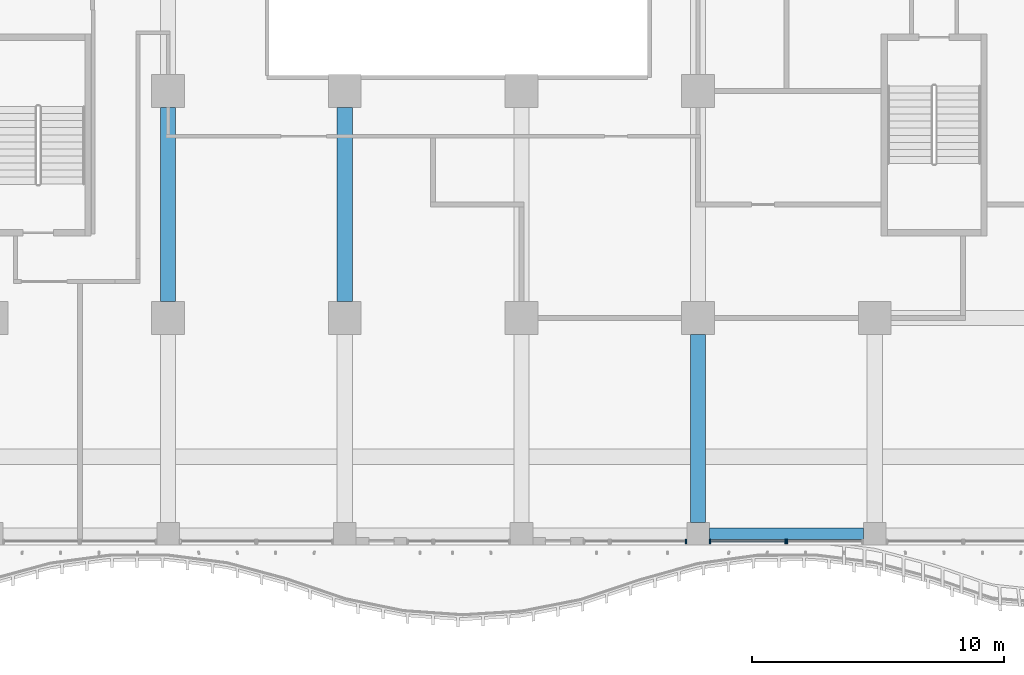
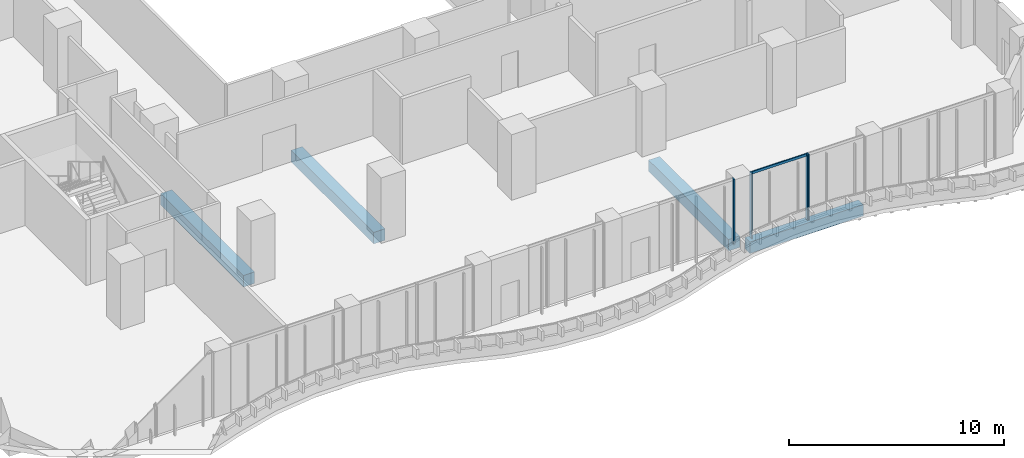
# One storey, part 5 of 29: 5 members, 4 beams, 3 elements without a shape of their own.
"""IFC4 building model written with IfcOpenShell, lengths in metres."""

from ifc_helpers import new_model, si_unit, direction, frame, origin, origin_2d, place, context, subcontext, project, spatial, rectangle, extrude, source, transform, mapped, material, material_profile, profile_set, type_object, element, aggregate, save


model = new_model("IFC4")

# Units and contexts
model_context = context("Model", 3, precision=1e-05, world=origin(), true_north=direction((0.0, 1.0)))
body_context = subcontext(model_context, "Body", "Model", "MODEL_VIEW")
ifc_project = project(units=[si_unit("LENGTHUNIT", "METRE"), si_unit("AREAUNIT", "SQUARE_METRE"), si_unit("VOLUMEUNIT", "CUBIC_METRE"), si_unit("PLANEANGLEUNIT", "RADIAN"), si_unit("MASSUNIT", "GRAM", prefix="KILO")], contexts=[model_context])

# Site, building, storey
site_placement = place(None, origin())
site = spatial("IfcSite", under=ifc_project, at=site_placement, CompositionType="ELEMENT")
building_placement = place(site_placement, origin())
building = spatial("IfcBuilding", under=site, at=building_placement, Name="Kilnfold Tower and Market Hall", CompositionType="ELEMENT")
storey_placement = place(building_placement, frame((0.0, 0.0, 27.0)))
storey = spatial("IfcBuildingStorey", under=building, at=storey_placement, Name="L05", CompositionType="ELEMENT", Elevation=27.0)

# Beams
ifc_material_1 = material(Name="Concrete C45", Category="concrete")
ifc_material_profile_1 = material_profile(ifc_material_1, rectangle(XDim=0.449951171875, YDim=0.64990234375, at=origin_2d()), Name="RC 450x650")
ifc_profile_set_1 = profile_set([ifc_material_profile_1], Name="Concrete C45")
beam_type_1 = type_object("IfcBeamType", Name="EDGE BEAM 450X650 C45", PredefinedType="BEAM", material=ifc_profile_set_1)
shared_shape_1 = source(origin(), body_context, "Body", "SweptSolid", [
    extrude(rectangle(XDim=0.449951171875, YDim=0.64990234375, at=origin_2d()), origin(), (0.0, 0.0, 1.0), 6.10009765625),
])
beam_1_placement = place(storey_placement, frame((10.949951171875, -27.550048828125, -0.60498046875), z_axis=(1.0, 0.0, 0.0), x_axis=(0.0, 1.0, 0.0)))
element("IfcBeam", 1, at=beam_1_placement, inside=storey, type_object=beam_type_1, Name="Beam EB650-B1.5", PredefinedType="BEAM", context=body_context, shape_type="MappedRepresentation", body=[
    mapped(shared_shape_1, transform((0.0, 0.0, 0.0))),
])
ifc_material_2 = material(Name="Concrete C45", Category="concrete")
ifc_material_profile_2 = material_profile(ifc_material_2, rectangle(XDim=0.60009765625, YDim=0.64990234375, at=origin_2d()), Name="RC 600x650")
ifc_profile_set_2 = profile_set([ifc_material_profile_2], Name="Concrete C45")
beam_type_2 = type_object("IfcBeamType", Name="BEAM 600X650 C45", PredefinedType="BEAM", material=ifc_profile_set_2)
shared_shape_2 = source(origin(), body_context, "Body", "SweptSolid", [
    extrude(rectangle(XDim=0.60009765625, YDim=0.64990234375, at=origin_2d()), origin(), (0.0, 0.0, 1.0), 7.4501953125),
])
beam_2_placement = place(storey_placement, frame((10.5, -27.10009765625, -0.60498046875), z_axis=(0.0, 1.0, 0.0), x_axis=(-1.0, 0.0, 0.0)))
element("IfcBeam", 2, at=beam_2_placement, inside=storey, type_object=beam_type_2, Name="Beam BB650-B1.47", PredefinedType="BEAM", context=body_context, shape_type="MappedRepresentation", body=[
    mapped(shared_shape_2, transform((0.0, 0.0, 0.0))),
])
shared_shape_3 = source(origin(), body_context, "Body", "SweptSolid", [
    extrude(rectangle(XDim=0.60009765625, YDim=0.64990234375, at=origin_2d()), origin(), (0.0, 0.0, 1.0), 7.7001953125),
])
for number, where, z_axis, x_axis, name in (
    (3, (-10.5, -18.35009765625, -0.60498046875), (0.0, 1.0, 0.0), (-1.0, 0.0, 0.0), "Beam BB650-B1.41"),
    (4, (-3.5, -18.35009765625, -0.60498046875), (0.0, 1.0, 0.0), (-1.0, 0.0, 0.0), "Beam BB650-B1.44"),
):
    element("IfcBeam", number, at=place(storey_placement, frame(where, z_axis=z_axis, x_axis=x_axis)), inside=storey, type_object=beam_type_2, Name=name, PredefinedType="BEAM", context=body_context, shape_type="MappedRepresentation", body=[
        mapped(shared_shape_3, transform((0.0, 0.0, 0.0))),
    ])

# Curtain wall, member
ifc_material_3 = material(Name="Aluminium and double glazing", Category="aluminium")
curtain_wall_type = type_object("IfcCurtainWallType", Name="CW OF1 VALLEY GLAZING", PredefinedType="NOTDEFINED", material=ifc_material_3)
curtain_wall_1_placement = place(storey_placement, origin())
curtain_wall_1 = element("IfcCurtainWall", 5, at=curtain_wall_1_placement, inside=storey, type_object=curtain_wall_type, Name="Curtain wall CW1 L05 S", PredefinedType="NOTDEFINED")
ifc_material_4 = material(Name="Aluminium", Category="aluminium")
ifc_material_profile_3 = material_profile(ifc_material_4, rectangle(XDim=0.06005859375, YDim=0.179931640625, at=origin_2d()), Name="MULLION 60x180")
ifc_profile_set_3 = profile_set([ifc_material_profile_3], Name="Aluminium")
member_type_1 = type_object("IfcMemberType", Name="MULLION 60X180", PredefinedType="MULLION", material=ifc_profile_set_3)
shared_shape_4 = source(origin(), body_context, "Body", "SweptSolid", [
    extrude(rectangle(XDim=0.06005859375, YDim=0.179931640625, at=origin_2d()), origin(), (0.0, 0.0, 1.0), 3.719970703125),
])
member_1_placement = place(storey_placement, frame((10.02001953125, -27.85009765625, 0.0), z_axis=(0.0, 0.0, 1.0), x_axis=(1.0, 0.0, 0.0)))
member_1 = element("IfcMember", 6, at=member_1_placement, type_object=member_type_1, Name="CW1 mullion 2", PredefinedType="MULLION", context=body_context, shape_type="MappedRepresentation", body=[
    mapped(shared_shape_4, transform((0.0, 0.0, 0.0))),
])
aggregate(curtain_wall_1, [member_1])

# Curtain wall, members
curtain_wall_2_placement = place(storey_placement, origin())
curtain_wall_2 = element("IfcCurtainWall", 7, at=curtain_wall_2_placement, inside=storey, type_object=curtain_wall_type, Name="Curtain wall CW1 L05 S", PredefinedType="NOTDEFINED")
member_2_placement = place(storey_placement, frame((10.97998046875, -27.85009765625, 0.0), z_axis=(0.0, 0.0, 1.0), x_axis=(1.0, 0.0, 0.0)))
member_2 = element("IfcMember", 8, at=member_2_placement, type_object=member_type_1, Name="CW1 mullion 1", PredefinedType="MULLION", context=body_context, shape_type="MappedRepresentation", body=[
    mapped(shared_shape_4, transform((0.0, 0.0, 0.0))),
])
member_3_placement = place(storey_placement, frame((13.969970703125, -27.85009765625, 0.0), z_axis=(0.0, 0.0, 1.0), x_axis=(1.0, 0.0, 0.0)))
member_3 = element("IfcMember", 9, at=member_3_placement, type_object=member_type_1, Name="CW1 mullion 2", PredefinedType="MULLION", context=body_context, shape_type="MappedRepresentation", body=[
    mapped(shared_shape_4, transform((0.0, 0.0, 0.0))),
])

# Curtain wall, member
curtain_wall_3_placement = place(storey_placement, origin())
curtain_wall_3 = element("IfcCurtainWall", 10, at=curtain_wall_3_placement, inside=storey, type_object=curtain_wall_type, Name="Curtain wall CW1 L05 S", PredefinedType="NOTDEFINED")
member_4_placement = place(storey_placement, frame((14.030029296875, -27.85009765625, 0.0), z_axis=(0.0, 0.0, 1.0), x_axis=(1.0, 0.0, 0.0)))
member_4 = element("IfcMember", 11, at=member_4_placement, type_object=member_type_1, Name="CW1 mullion 1", PredefinedType="MULLION", context=body_context, shape_type="MappedRepresentation", body=[
    mapped(shared_shape_4, transform((0.0, 0.0, 0.0))),
])
aggregate(curtain_wall_3, [member_4])

# Member
ifc_material_5 = material(Name="Aluminium", Category="aluminium")
ifc_material_profile_4 = material_profile(ifc_material_5, rectangle(XDim=0.06005859375, YDim=0.139892578125, at=origin_2d()), Name="TRANSOM 60x140")
ifc_profile_set_4 = profile_set([ifc_material_profile_4], Name="Aluminium")
member_type_2 = type_object("IfcMemberType", Name="TRANSOM 60X140", PredefinedType="USERDEFINED", material=ifc_profile_set_4)
shared_shape_5 = source(origin(), body_context, "Body", "SweptSolid", [
    extrude(rectangle(XDim=0.06005859375, YDim=0.139892578125, at=origin_2d()), origin(), (0.0, 0.0, 1.0), 2.929931640625),
])
member_5_placement = place(storey_placement, frame((11.010009765625, -27.85009765625, 3.68994140625), z_axis=(1.0, 0.0, 0.0), x_axis=(0.0, 1.0, 0.0)))
member_5 = element("IfcMember", 12, at=member_5_placement, type_object=member_type_2, Name="CW1 transom 1.2", ObjectType="TRANSOM", PredefinedType="USERDEFINED", context=body_context, shape_type="MappedRepresentation", body=[
    mapped(shared_shape_5, transform((0.0, 0.0, 0.0))),
])

aggregate(curtain_wall_2, [member_2, member_3, member_5])

save(model, "model.ifc")
